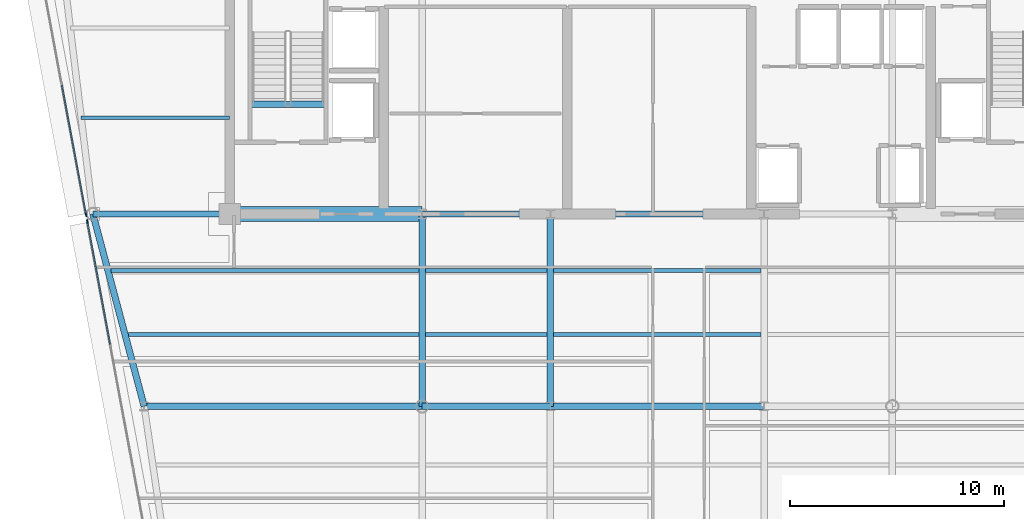
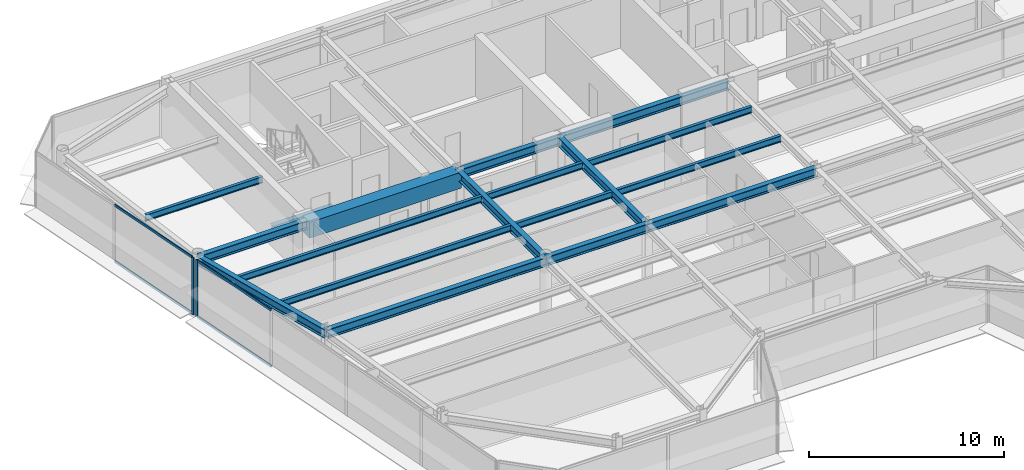
# One storey, part 4 of 18: 18 beams, 6 members, 2 elements without a shape of their own.
"""IFC4 building model written with IfcOpenShell, lengths in metres."""

from ifc_helpers import new_model, si_unit, direction, frame, origin, origin_2d, place, context, subcontext, project, spatial, rectangle, i_section, extrude, source, transform, mapped, material, layer, layer_set, material_profile, profile_set, type_object, element, aggregate, save


model = new_model("IFC4")

# Units and contexts
model_context = context("Model", 3, precision=1e-05, world=origin(), true_north=direction((0.0, 1.0)))
body_context = subcontext(model_context, "Body", "Model", "MODEL_VIEW")
ifc_project = project(units=[si_unit("LENGTHUNIT", "METRE"), si_unit("AREAUNIT", "SQUARE_METRE"), si_unit("VOLUMEUNIT", "CUBIC_METRE"), si_unit("PLANEANGLEUNIT", "RADIAN"), si_unit("MASSUNIT", "GRAM", prefix="KILO")], contexts=[model_context])

# Site, building, storey
site_placement = place(None, origin())
site = spatial("IfcSite", under=ifc_project, at=site_placement, CompositionType="ELEMENT")
building_placement = place(site_placement, origin())
building = spatial("IfcBuilding", under=site, at=building_placement, Name="Vaeldorn Concourse Tower", CompositionType="ELEMENT")
storey_placement = place(building_placement, frame((0.0, 0.0, 257.39990234375)))
storey = spatial("IfcBuildingStorey", under=building, at=storey_placement, Name="L66", CompositionType="ELEMENT", Elevation=257.39990234375)

# Beams
ifc_material_1 = material(Name="Concrete C50/60", Category="concrete")
ifc_material_profile_1 = material_profile(ifc_material_1, rectangle(XDim=0.699951171875, YDim=1.0, at=origin_2d()), Name="RC 700x1000")
ifc_profile_set_1 = profile_set([ifc_material_profile_1], Name="Concrete C50/60")
beam_type_1 = type_object("IfcBeamType", Name="BM-CB-RC700", PredefinedType="BEAM", material=ifc_profile_set_1)
shared_shape_1 = source(origin(), body_context, "Body", "SweptSolid", [
    extrude(rectangle(XDim=0.699951171875, YDim=1.0, at=origin_2d()), origin(), (0.0, 0.0, 1.0), 9.0),
])
beam_1_placement = place(storey_placement, frame((14.0, 36.5, 3.080078125), z_axis=(1.0, 0.0, 0.0), x_axis=(0.0, 1.0, 0.0)))
element("IfcBeam", 1, at=beam_1_placement, inside=storey, type_object=beam_type_1, Name="Core Coupling Beam L66-1", PredefinedType="BEAM", context=body_context, shape_type="MappedRepresentation", body=[
    mapped(shared_shape_1, transform((0.0, 0.0, 0.0), scale=1.0)),
])
ifc_material_2 = material(Name="Steel S355", Category="steel")
ifc_material_profile_2 = material_profile(ifc_material_2, i_section(OverallWidth=0.300048828125, OverallDepth=0.340087890625, WebThickness=0.011962890625, FlangeThickness=0.021484375, FilletRadius=0.027099609375, at=origin_2d()), Name="HEB 340")
ifc_profile_set_2 = profile_set([ifc_material_profile_2], Name="Steel S355")
beam_type_2 = type_object("IfcBeamType", Name="BM-ST-TRIM", PredefinedType="BEAM", material=ifc_profile_set_2)
shared_shape_2 = source(origin(), body_context, "Body", "SweptSolid", [
    extrude(i_section(OverallWidth=0.300048828125, OverallDepth=0.340087890625, WebThickness=0.011962890625, FlangeThickness=0.021484375, FilletRadius=0.027099609375, at=origin_2d()), origin(), (0.0, 0.0, 1.0), 3.590087890625),
])
beam_2_placement = place(storey_placement, frame((14.929931640625, 41.639892578125, -0.389892578125), z_axis=(1.0, 0.0, 0.0), x_axis=(0.0, 1.0, 0.0)))
element("IfcBeam", 2, at=beam_2_placement, inside=storey, type_object=beam_type_2, Name="Stair Landing Trimmer Beam ST-1 L66", PredefinedType="BEAM", context=body_context, shape_type="MappedRepresentation", body=[
    mapped(shared_shape_2, transform((0.0, 0.0, 0.0), scale=1.0)),
])
ifc_material_profile_3 = material_profile(ifc_material_2, i_section(OverallWidth=0.179931640625, OverallDepth=0.39990234375, WebThickness=0.008544921875, FlangeThickness=0.013427734375, FilletRadius=0.02099609375, at=origin_2d()), Name="IPE 400")
ifc_profile_set_3 = profile_set([ifc_material_profile_3], Name="Steel S355")
beam_type_3 = type_object("IfcBeamType", Name="BM-JS-IPE400", PredefinedType="JOIST", material=ifc_profile_set_3)
shared_shape_3 = source(origin(), body_context, "Body", "SweptSolid", [
    extrude(i_section(OverallWidth=0.179931640625, OverallDepth=0.39990234375, WebThickness=0.008544921875, FlangeThickness=0.013427734375, FilletRadius=0.02099609375, at=origin_2d()), origin(), (0.0, 0.0, 1.0), 5.7001953125),
])
for number, where, z_axis, x_axis, name in (
    (3, (23.14990234375, 30.860107421875, 3.380126953125), (1.0, 0.0, 0.0), (0.0, 1.0, 0.0), "Beam JS-L66-W2-308"),
    (4, (23.14990234375, 33.860107421875, 3.380126953125), (1.0, 0.0, 0.0), (0.0, 1.0, 0.0), "Beam JS-L66-W2-338"),
):
    element("IfcBeam", number, at=place(storey_placement, frame(where, z_axis=z_axis, x_axis=x_axis)), inside=storey, type_object=beam_type_3, Name=name, PredefinedType="JOIST", context=body_context, shape_type="MappedRepresentation", body=[
        mapped(shared_shape_3, transform((0.0, 0.0, 0.0), scale=1.0)),
    ])
shared_shape_4 = source(origin(), body_context, "Body", "SweptSolid", [
    extrude(i_section(OverallWidth=0.179931640625, OverallDepth=0.39990234375, WebThickness=0.008544921875, FlangeThickness=0.013427734375, FilletRadius=0.02099609375, at=origin_2d()), origin(), (0.0, 0.0, 1.0), 9.7001953125),
])
for number, where, z_axis, x_axis, name in (
    (5, (29.14990234375, 30.860107421875, 3.380126953125), (1.0, 0.0, 0.0), (0.0, 1.0, 0.0), "Beam JS-L66-C-308"),
    (6, (29.14990234375, 33.860107421875, 3.380126953125), (1.0, 0.0, 0.0), (0.0, 1.0, 0.0), "Beam JS-L66-C-338"),
):
    element("IfcBeam", number, at=place(storey_placement, frame(where, z_axis=z_axis, x_axis=x_axis)), inside=storey, type_object=beam_type_3, Name=name, PredefinedType="JOIST", context=body_context, shape_type="MappedRepresentation", body=[
        mapped(shared_shape_4, transform((0.0, 0.0, 0.0), scale=1.0)),
    ])
shared_shape_5 = source(origin(), body_context, "Body", "SweptSolid", [
    extrude(i_section(OverallWidth=0.179931640625, OverallDepth=0.39990234375, WebThickness=0.008544921875, FlangeThickness=0.013427734375, FilletRadius=0.02099609375, at=origin_2d()), origin(), (0.0, 0.0, 1.0), 6.94775390625),
])
beam_3_placement = place(storey_placement, frame((7.05224609375, 41.0, 3.380126953125), z_axis=(1.0, 0.0, 0.0), x_axis=(0.0, 1.0, 0.0)))
element("IfcBeam", 7, at=beam_3_placement, inside=storey, type_object=beam_type_3, Name="Beam JS-L66-NW-410", PredefinedType="JOIST", context=body_context, shape_type="MappedRepresentation", body=[
    mapped(shared_shape_5, transform((0.0, 0.0, 0.0), scale=1.0)),
])
shared_shape_6 = source(origin(), body_context, "Body", "SweptSolid", [
    extrude(i_section(OverallWidth=0.179931640625, OverallDepth=0.39990234375, WebThickness=0.008544921875, FlangeThickness=0.013427734375, FilletRadius=0.02099609375, at=origin_2d()), origin(), (0.0, 0.0, 1.0), 13.59619140625),
])
beam_4_placement = place(storey_placement, frame((9.25390625, 30.860107421875, 3.380126953125), z_axis=(1.0, 0.0, 0.0), x_axis=(0.0, 1.0, 0.0)))
element("IfcBeam", 8, at=beam_4_placement, inside=storey, type_object=beam_type_3, Name="Beam JS-L66-W1-308", PredefinedType="JOIST", context=body_context, shape_type="MappedRepresentation", body=[
    mapped(shared_shape_6, transform((0.0, 0.0, 0.0), scale=1.0)),
])
shared_shape_7 = source(origin(), body_context, "Body", "SweptSolid", [
    extrude(i_section(OverallWidth=0.179931640625, OverallDepth=0.39990234375, WebThickness=0.008544921875, FlangeThickness=0.013427734375, FilletRadius=0.02099609375, at=origin_2d()), origin(), (0.0, 0.0, 1.0), 14.39599609375),
])
beam_5_placement = place(storey_placement, frame((8.4541015625, 33.860107421875, 3.380126953125), z_axis=(1.0, 0.0, 0.0), x_axis=(0.0, 1.0, 0.0)))
element("IfcBeam", 9, at=beam_5_placement, inside=storey, type_object=beam_type_3, Name="Beam JS-L66-W1-338", PredefinedType="JOIST", context=body_context, shape_type="MappedRepresentation", body=[
    mapped(shared_shape_7, transform((0.0, 0.0, 0.0), scale=1.0)),
])
ifc_material_profile_4 = material_profile(ifc_material_2, i_section(OverallWidth=0.300048828125, OverallDepth=0.550048828125, WebThickness=0.014892578125, FlangeThickness=0.029052734375, FilletRadius=0.027099609375, at=origin_2d()), Name="HEB 550")
ifc_profile_set_4 = profile_set([ifc_material_profile_4], Name="Steel S355")
beam_type_4 = type_object("IfcBeamType", Name="BM-PG-HEB550", PredefinedType="BEAM", material=ifc_profile_set_4)
shared_shape_8 = source(origin(), body_context, "Body", "SweptSolid", [
    extrude(i_section(OverallWidth=0.300048828125, OverallDepth=0.550048828125, WebThickness=0.014892578125, FlangeThickness=0.029052734375, FilletRadius=0.027099609375, at=origin_2d()), origin(), (0.0, 0.0, 1.0), 6.0),
])
for number, where, z_axis, x_axis, name in (
    (10, (23.0, 36.5, 3.30517578125), (1.0, 0.0, 0.0), (0.0, 1.0, 0.0), "Beam BM-L66-C-FC2-C-FC3"),
    (11, (23.0, 27.5, 3.30517578125), (1.0, 0.0, 0.0), (0.0, 1.0, 0.0), "Beam BM-L66-C-TW1-C-TW2"),
):
    element("IfcBeam", number, at=place(storey_placement, frame(where, z_axis=z_axis, x_axis=x_axis)), inside=storey, type_object=beam_type_4, Name=name, PredefinedType="BEAM", context=body_context, shape_type="MappedRepresentation", body=[
        mapped(shared_shape_8, transform((0.0, 0.0, 0.0), scale=1.0)),
    ])
shared_shape_9 = source(origin(), body_context, "Body", "SweptSolid", [
    extrude(i_section(OverallWidth=0.300048828125, OverallDepth=0.550048828125, WebThickness=0.014892578125, FlangeThickness=0.029052734375, FilletRadius=0.027099609375, at=origin_2d()), origin(), (0.0, 0.0, 1.0), 10.0),
])
for number, where, z_axis, x_axis, name in (
    (12, (29.0, 36.5, 3.30517578125), (1.0, 0.0, 0.0), (0.0, 1.0, 0.0), "Beam BM-L66-C-FC3-C-FC4"),
    (13, (29.0, 27.5, 3.30517578125), (1.0, 0.0, 0.0), (0.0, 1.0, 0.0), "Beam BM-L66-C-TW2-C-TW3"),
):
    element("IfcBeam", number, at=place(storey_placement, frame(where, z_axis=z_axis, x_axis=x_axis)), inside=storey, type_object=beam_type_4, Name=name, PredefinedType="BEAM", context=body_context, shape_type="MappedRepresentation", body=[
        mapped(shared_shape_9, transform((0.0, 0.0, 0.0), scale=1.0)),
    ])
shared_shape_10 = source(origin(), body_context, "Body", "SweptSolid", [
    extrude(i_section(OverallWidth=0.300048828125, OverallDepth=0.550048828125, WebThickness=0.014892578125, FlangeThickness=0.029052734375, FilletRadius=0.027099609375, at=origin_2d()), origin(), (0.0, 0.0, 1.0), 9.0),
])
for number, where, z_axis, x_axis, name in (
    (14, (23.0, 27.5, 3.30517578125), (0.0, 1.0, 0.0), (-1.0, 0.0, 0.0), "Beam BM-L66-C-TW1-C-FC2"),
    (15, (29.0, 27.5, 3.30517578125), (0.0, 1.0, 0.0), (-1.0, 0.0, 0.0), "Beam BM-L66-C-TW2-C-FC3"),
):
    element("IfcBeam", number, at=place(storey_placement, frame(where, z_axis=z_axis, x_axis=x_axis)), inside=storey, type_object=beam_type_4, Name=name, PredefinedType="BEAM", context=body_context, shape_type="MappedRepresentation", body=[
        mapped(shared_shape_10, transform((0.0, 0.0, 0.0), scale=1.0)),
    ])
shared_shape_11 = source(origin(), body_context, "Body", "SweptSolid", [
    extrude(i_section(OverallWidth=0.300048828125, OverallDepth=0.550048828125, WebThickness=0.014892578125, FlangeThickness=0.029052734375, FilletRadius=0.027099609375, at=origin_2d()), origin(), (0.0, 0.0, 1.0), 6.39990234375),
])
beam_6_placement = place(storey_placement, frame((7.60009765625, 36.5, 3.30517578125), z_axis=(1.0, 0.0, 0.0), x_axis=(0.0, 1.0, 0.0)))
element("IfcBeam", 16, at=beam_6_placement, inside=storey, type_object=beam_type_4, Name="Beam BM-L66-C-NW2-C-FC1", PredefinedType="BEAM", context=body_context, shape_type="MappedRepresentation", body=[
    mapped(shared_shape_11, transform((0.0, 0.0, 0.0), scale=1.0)),
])
shared_shape_12 = source(origin(), body_context, "Body", "SweptSolid", [
    extrude(i_section(OverallWidth=0.300048828125, OverallDepth=0.550048828125, WebThickness=0.014892578125, FlangeThickness=0.029052734375, FilletRadius=0.027099609375, at=origin_2d()), origin(), (0.0, 0.0, 1.0), 9.314453125),
])
beam_7_placement = place(storey_placement, frame((7.60009765625, 36.5, 3.30517578125), z_axis=(0.257652862255, -0.966237549763, 0.0), x_axis=(0.966237549763, 0.257652862255, 0.0)))
element("IfcBeam", 17, at=beam_7_placement, inside=storey, type_object=beam_type_4, Name="Beam BM-L66-C-NW2-C-FLW1", PredefinedType="BEAM", context=body_context, shape_type="MappedRepresentation", body=[
    mapped(shared_shape_12, transform((0.0, 0.0, 0.0), scale=1.0)),
])
shared_shape_13 = source(origin(), body_context, "Body", "SweptSolid", [
    extrude(i_section(OverallWidth=0.300048828125, OverallDepth=0.550048828125, WebThickness=0.014892578125, FlangeThickness=0.029052734375, FilletRadius=0.027099609375, at=origin_2d()), origin(), (0.0, 0.0, 1.0), 13.0),
])
beam_8_placement = place(storey_placement, frame((10.0, 27.5, 3.30517578125), z_axis=(1.0, 0.0, 0.0), x_axis=(0.0, 1.0, 0.0)))
element("IfcBeam", 18, at=beam_8_placement, inside=storey, type_object=beam_type_4, Name="Beam BM-L66-C-FLW1-C-TW1", PredefinedType="BEAM", context=body_context, shape_type="MappedRepresentation", body=[
    mapped(shared_shape_13, transform((0.0, 0.0, 0.0), scale=1.0)),
])

# Curtain wall, member
ifc_material_3 = material(Name="Anodised Bronze Aluminium", Category="aluminium")
ifc_layer = layer(ifc_material_3, 0.179931640625)
ifc_layer_set = layer_set([ifc_layer], Name="Anodised Bronze Aluminium")
curtain_wall_type = type_object("IfcCurtainWallType", Name="CW-SYS-05", PredefinedType="NOTDEFINED", material=ifc_layer_set)
curtain_wall_1_placement = place(storey_placement, origin())
curtain_wall_1 = element("IfcCurtainWall", 19, at=curtain_wall_1_placement, inside=storey, type_object=curtain_wall_type, Name="Unitised Curtain Wall CW-L66-E11-1", PredefinedType="NOTDEFINED")
ifc_material_profile_5 = material_profile(ifc_material_3, rectangle(XDim=0.06494140625, YDim=0.169921875, at=origin_2d()), Name="CWM 65x170")
ifc_profile_set_5 = profile_set([ifc_material_profile_5], Name="Anodised Bronze Aluminium")
member_type_1 = type_object("IfcMemberType", Name="CWM-BRONZE-170", PredefinedType="MULLION", material=ifc_profile_set_5)
shared_shape_14 = source(origin(), body_context, "Body", "SweptSolid", [
    extrude(rectangle(XDim=0.06494140625, YDim=0.169921875, at=origin_2d()), origin(), (0.0, 0.0, 1.0), 3.580078125),
])
member_1_placement = place(storey_placement, frame((7.279052734375, 36.460205078125, 0.0), z_axis=(0.0, 0.0, 1.0), x_axis=(0.983102768025, 0.183054493257, 0.0)))
member_1 = element("IfcMember", 20, at=member_1_placement, type_object=member_type_1, Name="CW-05 mullion 3", PredefinedType="MULLION", context=body_context, shape_type="MappedRepresentation", body=[
    mapped(shared_shape_14, transform((0.0, 0.0, 0.0), scale=1.0)),
])

# Curtain wall, members
curtain_wall_2_placement = place(storey_placement, origin())
curtain_wall_2 = element("IfcCurtainWall", 21, at=curtain_wall_2_placement, inside=storey, type_object=curtain_wall_type, Name="Unitised Curtain Wall CW-L66-E11-2", PredefinedType="NOTDEFINED")
member_2_placement = place(storey_placement, frame((7.336181640625, 36.153076171875, 0.0), z_axis=(0.0, 0.0, 1.0), x_axis=(0.983102653673, 0.18305510739, 0.0)))
member_2 = element("IfcMember", 22, at=member_2_placement, type_object=member_type_1, Name="CW-05 mullion 1", PredefinedType="MULLION", context=body_context, shape_type="MappedRepresentation", body=[
    mapped(shared_shape_14, transform((0.0, 0.0, 0.0), scale=1.0)),
])
ifc_material_profile_6 = material_profile(ifc_material_3, rectangle(XDim=0.06494140625, YDim=0.14990234375, at=origin_2d()), Name="CWT 65x150")
ifc_profile_set_6 = profile_set([ifc_material_profile_6], Name="Anodised Bronze Aluminium")
member_type_2 = type_object("IfcMemberType", Name="CWT-BRONZE-150", PredefinedType="USERDEFINED", material=ifc_profile_set_6)
shared_shape_15 = source(origin(), body_context, "Body", "SweptSolid", [
    extrude(rectangle(XDim=0.06494140625, YDim=0.14990234375, at=origin_2d()), origin(), (0.0, 0.0, 1.0), 5.82373046875),
])
member_3_placement = place(storey_placement, frame((7.34228515625, 36.12109375, 0.03271484375), z_axis=(0.183030414843, -0.983107251139, 0.0), x_axis=(0.983107251139, 0.183030414843, 0.0)))
member_3 = element("IfcMember", 23, at=member_3_placement, type_object=member_type_2, Name="CW-05 transom 1.1", ObjectType="TRANSOM", PredefinedType="USERDEFINED", context=body_context, shape_type="MappedRepresentation", body=[
    mapped(shared_shape_15, transform((0.0, 0.0, 0.0), scale=1.0)),
])
member_4_placement = place(storey_placement, frame((7.34228515625, 36.12109375, 3.547607421875), z_axis=(0.183030414843, -0.983107251139, 0.0), x_axis=(0.983107251139, 0.183030414843, 0.0)))
member_4 = element("IfcMember", 24, at=member_4_placement, type_object=member_type_2, Name="CW-05 transom 1.2", ObjectType="TRANSOM", PredefinedType="USERDEFINED", context=body_context, shape_type="MappedRepresentation", body=[
    mapped(shared_shape_15, transform((0.0, 0.0, 0.0), scale=1.0)),
])
aggregate(curtain_wall_2, [member_2, member_3, member_4])

# Member
shared_shape_16 = source(origin(), body_context, "Body", "SweptSolid", [
    extrude(rectangle(XDim=0.06494140625, YDim=0.14990234375, at=origin_2d()), origin(), (0.0, 0.0, 1.0), 6.143798828125),
])
member_5_placement = place(storey_placement, frame((6.1484375, 42.5322265625, 0.03271484375), z_axis=(0.183069583935, -0.983099958009, 0.0), x_axis=(0.983099958009, 0.183069583935, 0.0)))
member_5 = element("IfcMember", 25, at=member_5_placement, type_object=member_type_2, Name="CW-05 transom 2.1", ObjectType="TRANSOM", PredefinedType="USERDEFINED", context=body_context, shape_type="MappedRepresentation", body=[
    mapped(shared_shape_16, transform((0.0, 0.0, 0.0), scale=1.0)),
])

member_6_placement = place(storey_placement, frame((6.1484375, 42.5322265625, 3.547607421875), z_axis=(0.183069583935, -0.983099958009, 0.0), x_axis=(0.983099958009, 0.183069583935, 0.0)))
member_6 = element("IfcMember", 26, at=member_6_placement, type_object=member_type_2, Name="CW-05 transom 2.2", ObjectType="TRANSOM", PredefinedType="USERDEFINED", context=body_context, shape_type="MappedRepresentation", body=[
    mapped(shared_shape_16, transform((0.0, 0.0, 0.0), scale=1.0)),
])

aggregate(curtain_wall_1, [member_1, member_5, member_6])

save(model, "model.ifc")
